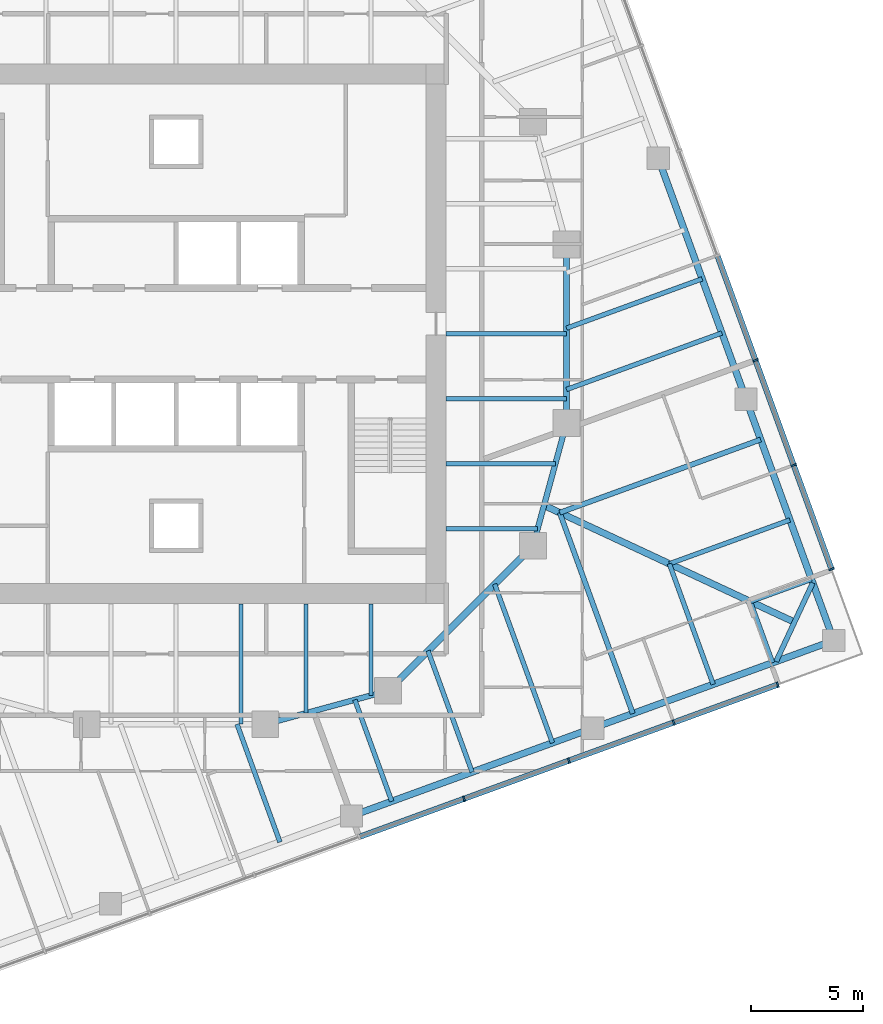
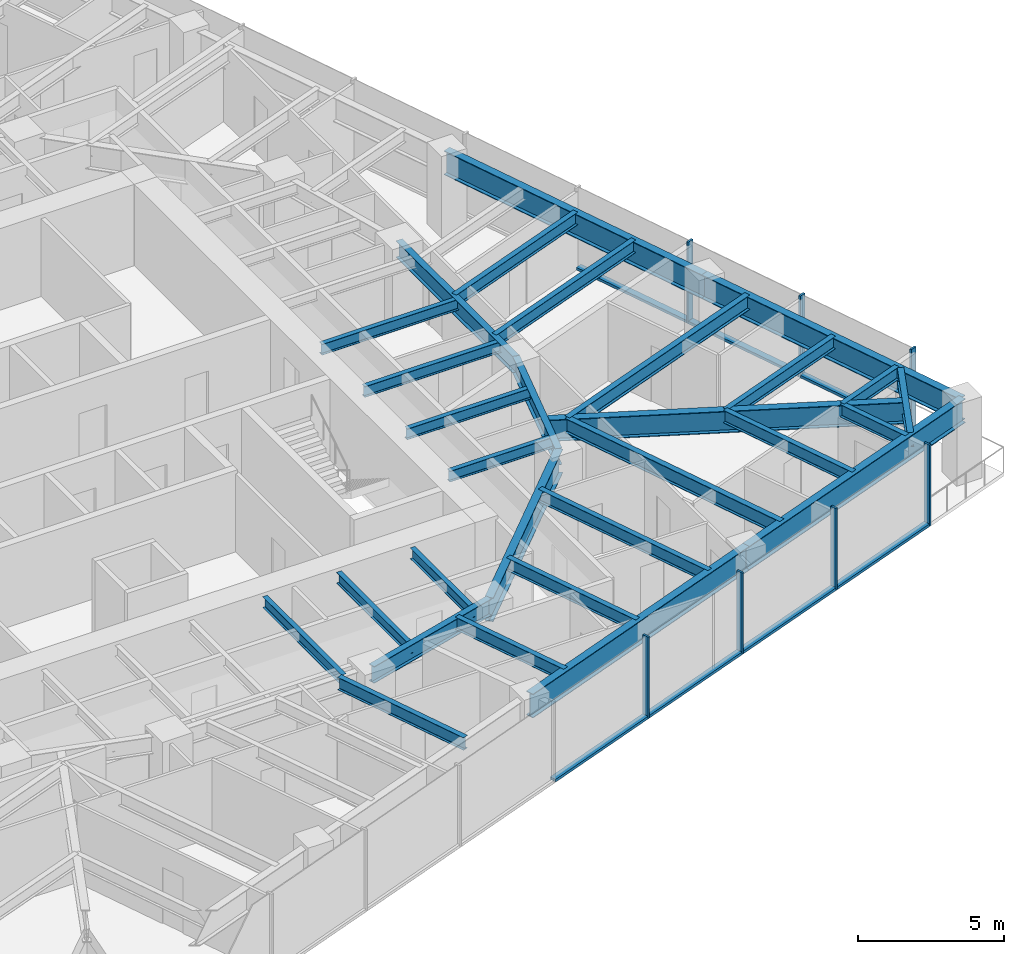
# One storey, part 3 of 13: 29 beams, 14 members, 2 elements without a shape of their own.
"""IFC4 building model written with IfcOpenShell, lengths in metres."""

from ifc_helpers import new_model, si_unit, direction, frame, origin, origin_2d, place, context, subcontext, project, spatial, rectangle, i_section, extrude, material, material_profile, profile_set, type_object, element, aggregate, save


model = new_model("IFC4")

# Units and contexts
model_context = context("Model", 3, precision=1e-05, world=origin(), true_north=direction((0.0, 1.0)))
body_context = subcontext(model_context, "Body", "Model", "MODEL_VIEW")
ifc_project = project(units=[si_unit("LENGTHUNIT", "METRE"), si_unit("AREAUNIT", "SQUARE_METRE"), si_unit("VOLUMEUNIT", "CUBIC_METRE"), si_unit("PLANEANGLEUNIT", "RADIAN"), si_unit("MASSUNIT", "GRAM", prefix="KILO")], contexts=[model_context])

# Site, building, storey
site_placement = place(None, origin())
site = spatial("IfcSite", under=ifc_project, at=site_placement, CompositionType="ELEMENT")
building_placement = place(site_placement, origin())
building = spatial("IfcBuilding", under=site, at=building_placement, Name="Torsade Residences", CompositionType="ELEMENT")
storey_placement = place(building_placement, frame((0.0, 0.0, 164.199951171875)))
storey = spatial("IfcBuildingStorey", under=building, at=storey_placement, Name="L45", CompositionType="ELEMENT", Elevation=164.199951171875)

# Beams
ifc_material_1 = material(Name="Steel grade 300", Category="steel")
ifc_material_profile_1 = material_profile(ifc_material_1, i_section(OverallWidth=0.300048828125, OverallDepth=0.89990234375, WebThickness=0.011962890625, FlangeThickness=0.02490234375, at=origin_2d()), Name="900WB175")
ifc_profile_set_1 = profile_set([ifc_material_profile_1], Name="Steel grade 300")
beam_type_1 = type_object("IfcBeamType", Name="CORNER GIRDER 900WB175", PredefinedType="BEAM", material=ifc_profile_set_1)
beam_1_placement = place(storey_placement, frame((67.717041015625, 17.075439453125, 2.800048828125), z_axis=(-0.906308509373, 0.422616712682, 0.0), x_axis=(-0.422616712682, -0.906308509373, 0.0)))
element("IfcBeam", 1, at=beam_1_placement, inside=storey, type_object=beam_type_1, Name="Corner girder 05 L46", PredefinedType="BEAM", context=body_context, shape_type="SweptSolid", body=[
    extrude(i_section(OverallWidth=0.300048828125, OverallDepth=0.89990234375, WebThickness=0.011962890625, FlangeThickness=0.02490234375, at=origin_2d()), origin(), (0.0, 0.0, 1.0), 12.3837890625),
])
ifc_material_2 = material(Name="Steel grade 300", Category="steel")
ifc_material_profile_2 = material_profile(ifc_material_2, i_section(OverallWidth=0.22802734375, OverallDepth=0.60205078125, WebThickness=0.010498046875, FlangeThickness=0.014892578125, FilletRadius=0.013916015625, at=origin_2d()), Name="610UB101")
ifc_profile_set_2 = profile_set([ifc_material_profile_2], Name="Steel grade 300")
beam_type_2 = type_object("IfcBeamType", Name="CORNER TRIMMER 610UB101", PredefinedType="BEAM", material=ifc_profile_set_2)
beam_2_placement = place(storey_placement, frame((68.538818359375, 18.837646484375, 2.948974609375), z_axis=(-0.422613947806, -0.906309798645, 0.0), x_axis=(0.906309798645, -0.422613947806, 0.0)))
element("IfcBeam", 2, at=beam_2_placement, inside=storey, type_object=beam_type_2, Name="Corner trimmer 05 L46", PredefinedType="BEAM", context=body_context, shape_type="SweptSolid", body=[
    extrude(i_section(OverallWidth=0.22802734375, OverallDepth=0.60205078125, WebThickness=0.010498046875, FlangeThickness=0.014892578125, FilletRadius=0.013916015625, at=origin_2d()), origin(), (0.0, 0.0, 1.0), 3.888916015625),
])
ifc_material_3 = material(Name="Steel grade 300", Category="steel")
ifc_material_profile_3 = material_profile(ifc_material_3, i_section(OverallWidth=0.300048828125, OverallDepth=1.0, WebThickness=0.01611328125, FlangeThickness=0.028076171875, at=origin_2d()), Name="1000WB215")
ifc_profile_set_3 = profile_set([ifc_material_profile_3], Name="Steel grade 300")
beam_type_3 = type_object("IfcBeamType", Name="EDGE BEAM 1000WB215", PredefinedType="SPANDREL", material=ifc_profile_set_3)
for number, where, z_axis, x_axis, name in (
    (3, (47.866455078125, 8.386962890625, 2.75), (0.939688625666, 0.342031119628, 0.0), (-0.342031119628, 0.939688625666, 0.0), "Edge beam 03 L46"),
    (4, (58.6728515625, 12.3203125, 2.75), (0.939697932031, 0.342005550448, 0.0), (-0.342005550448, 0.939697932031, 0.0), "Edge beam 04 L46"),
):
    element("IfcBeam", number, at=place(storey_placement, frame(where, z_axis=z_axis, x_axis=x_axis)), inside=storey, type_object=beam_type_3, Name=name, PredefinedType="SPANDREL", context=body_context, shape_type="SweptSolid", body=[
        extrude(i_section(OverallWidth=0.300048828125, OverallDepth=1.0, WebThickness=0.01611328125, FlangeThickness=0.028076171875, at=origin_2d()), origin(), (0.0, 0.0, 1.0), 11.5),
    ])
beam_3_placement = place(storey_placement, frame((69.4794921875, 16.25341796875, 2.75), z_axis=(-0.342024296483, 0.93969110915, 0.0), x_axis=(-0.93969110915, -0.342024296483, 0.0)))
element("IfcBeam", 5, at=beam_3_placement, inside=storey, type_object=beam_type_3, Name="Edge beam 05 L46", PredefinedType="SPANDREL", context=body_context, shape_type="SweptSolid", body=[
    extrude(i_section(OverallWidth=0.300048828125, OverallDepth=1.0, WebThickness=0.01611328125, FlangeThickness=0.028076171875, at=origin_2d()), origin(), (0.0, 0.0, 1.0), 11.500244140625),
])
beam_4_placement = place(storey_placement, frame((65.546142578125, 27.06005859375, 2.75), z_axis=(-0.342012373318, 0.939695448801, 0.0), x_axis=(-0.939695448801, -0.342012373318, 0.0)))
element("IfcBeam", 6, at=beam_4_placement, inside=storey, type_object=beam_type_3, Name="Edge beam 06 L46", PredefinedType="SPANDREL", context=body_context, shape_type="SweptSolid", body=[
    extrude(i_section(OverallWidth=0.300048828125, OverallDepth=1.0, WebThickness=0.01611328125, FlangeThickness=0.028076171875, at=origin_2d()), origin(), (0.0, 0.0, 1.0), 11.5),
])
ifc_material_4 = material(Name="Steel grade 300", Category="steel")
ifc_material_profile_4 = material_profile(ifc_material_4, i_section(OverallWidth=0.18994140625, OverallDepth=0.4541015625, WebThickness=0.008544921875, FlangeThickness=0.0126953125, FilletRadius=0.011474609375, at=origin_2d()), Name="460UB67.1")
ifc_profile_set_4 = profile_set([ifc_material_profile_4], Name="Steel grade 300")
beam_type_4 = type_object("IfcBeamType", Name="INNER FLOOR BEAM 460UB67.1", PredefinedType="JOIST", material=ifc_profile_set_4)
beam_5_placement = place(storey_placement, frame((48.737548828125, 17.89990234375, 3.02294921875), z_axis=(0.0, -1.0, 0.0), x_axis=(1.0, 0.0, 0.0)))
element("IfcBeam", 7, at=beam_5_placement, inside=storey, type_object=beam_type_4, Name="Inner floor beam IS01 L46", PredefinedType="JOIST", context=body_context, shape_type="SweptSolid", body=[
    extrude(i_section(OverallWidth=0.18994140625, OverallDepth=0.4541015625, WebThickness=0.008544921875, FlangeThickness=0.0126953125, FilletRadius=0.011474609375, at=origin_2d()), origin(), (0.0, 0.0, 1.0), 4.10791015625),
])
beam_6_placement = place(storey_placement, frame((45.824951171875, 17.89990234375, 3.02294921875), z_axis=(0.0, -1.0, 0.0), x_axis=(1.0, 0.0, 0.0)))
element("IfcBeam", 8, at=beam_6_placement, inside=storey, type_object=beam_type_4, Name="Inner floor beam IS02 L46", PredefinedType="JOIST", context=body_context, shape_type="SweptSolid", body=[
    extrude(i_section(OverallWidth=0.18994140625, OverallDepth=0.4541015625, WebThickness=0.008544921875, FlangeThickness=0.0126953125, FilletRadius=0.011474609375, at=origin_2d()), origin(), (0.0, 0.0, 1.0), 4.902099609375),
])
beam_7_placement = place(storey_placement, frame((42.91259765625, 17.89990234375, 3.02294921875), z_axis=(0.0, -1.0, 0.0), x_axis=(1.0, 0.0, 0.0)))
element("IfcBeam", 9, at=beam_7_placement, inside=storey, type_object=beam_type_4, Name="Inner floor beam IS03 L46", PredefinedType="JOIST", context=body_context, shape_type="SweptSolid", body=[
    extrude(i_section(OverallWidth=0.18994140625, OverallDepth=0.4541015625, WebThickness=0.008544921875, FlangeThickness=0.0126953125, FilletRadius=0.011474609375, at=origin_2d()), origin(), (0.0, 0.0, 1.0), 5.39990234375),
])
beam_8_placement = place(storey_placement, frame((52.10009765625, 21.262451171875, 3.02294921875), z_axis=(1.0, 0.0, 0.0), x_axis=(0.0, 1.0, 0.0)))
element("IfcBeam", 10, at=beam_8_placement, inside=storey, type_object=beam_type_4, Name="Inner floor beam IE01 L46", PredefinedType="JOIST", context=body_context, shape_type="SweptSolid", body=[
    extrude(i_section(OverallWidth=0.18994140625, OverallDepth=0.4541015625, WebThickness=0.008544921875, FlangeThickness=0.0126953125, FilletRadius=0.011474609375, at=origin_2d()), origin(), (0.0, 0.0, 1.0), 4.10791015625),
])
beam_9_placement = place(storey_placement, frame((52.10009765625, 24.175048828125, 3.02294921875), z_axis=(1.0, 0.0, 0.0), x_axis=(0.0, 1.0, 0.0)))
element("IfcBeam", 11, at=beam_9_placement, inside=storey, type_object=beam_type_4, Name="Inner floor beam IE02 L46", PredefinedType="JOIST", context=body_context, shape_type="SweptSolid", body=[
    extrude(i_section(OverallWidth=0.18994140625, OverallDepth=0.4541015625, WebThickness=0.008544921875, FlangeThickness=0.0126953125, FilletRadius=0.011474609375, at=origin_2d()), origin(), (0.0, 0.0, 1.0), 4.902099609375),
])
for number, where, z_axis, x_axis, name in (
    (12, (52.10009765625, 27.08740234375, 3.02294921875), (1.0, 0.0, 0.0), (0.0, 1.0, 0.0), "Inner floor beam IE03 L46"),
    (13, (52.10009765625, 30.0, 3.02294921875), (1.0, 0.0, 0.0), (0.0, 1.0, 0.0), "Inner floor beam IE04 L46"),
):
    element("IfcBeam", number, at=place(storey_placement, frame(where, z_axis=z_axis, x_axis=x_axis)), inside=storey, type_object=beam_type_4, Name=name, PredefinedType="JOIST", context=body_context, shape_type="SweptSolid", body=[
        extrude(i_section(OverallWidth=0.18994140625, OverallDepth=0.4541015625, WebThickness=0.008544921875, FlangeThickness=0.0126953125, FilletRadius=0.011474609375, at=origin_2d()), origin(), (0.0, 0.0, 1.0), 5.39990234375),
    ])

# Curtain wall, members
ifc_material_5 = material(Name="Aluminium and glass", Category="aluminium")
curtain_wall_type = type_object("IfcCurtainWallType", Name="FRITTED GLASS CURTAIN WALL MID ZONE", PredefinedType="NOTDEFINED", material=ifc_material_5)
curtain_wall_1_placement = place(storey_placement, origin())
curtain_wall_1 = element("IfcCurtainWall", 14, at=curtain_wall_1_placement, inside=storey, type_object=curtain_wall_type, Name="Curtain wall L45 face 1", PredefinedType="NOTDEFINED")
ifc_material_6 = material(Name="Aluminium mullion", Category="aluminium")
ifc_material_profile_5 = material_profile(ifc_material_6, rectangle(XDim=0.25, YDim=0.080078125, at=origin_2d()), Name="MID ZONE CURTAIN WALL MULLION 250x80")
ifc_profile_set_5 = profile_set([ifc_material_profile_5], Name="Aluminium mullion")
member_type_1 = type_object("IfcMemberType", Name="MID ZONE CURTAIN WALL MULLION 250x80", PredefinedType="MULLION", material=ifc_profile_set_5)
member_1_placement = place(storey_placement, frame((52.906982421875, 9.157470703125, 0.0), z_axis=(0.0, 0.0, 1.0), x_axis=(-0.342020147869, 0.939692619132, 0.0)))
member_1 = element("IfcMember", 15, at=member_1_placement, type_object=member_type_1, Name="Mullion 6", PredefinedType="MULLION", context=body_context, shape_type="SweptSolid", body=[
    extrude(rectangle(XDim=0.25, YDim=0.080078125, at=origin_2d()), origin(), (0.0, 0.0, 1.0), 3.400146484375),
])
member_2_placement = place(storey_placement, frame((57.60546875, 10.86767578125, 0.0), z_axis=(0.0, 0.0, 1.0), x_axis=(-0.342020147869, 0.939692619132, 0.0)))
member_2 = element("IfcMember", 16, at=member_2_placement, type_object=member_type_1, Name="Mullion 7", PredefinedType="MULLION", context=body_context, shape_type="SweptSolid", body=[
    extrude(rectangle(XDim=0.25, YDim=0.080078125, at=origin_2d()), origin(), (0.0, 0.0, 1.0), 3.400146484375),
])
member_3_placement = place(storey_placement, frame((62.303955078125, 12.57763671875, 0.0), z_axis=(0.0, 0.0, 1.0), x_axis=(-0.342020147869, 0.939692619132, 0.0)))
member_3 = element("IfcMember", 17, at=member_3_placement, type_object=member_type_1, Name="Mullion 8", PredefinedType="MULLION", context=body_context, shape_type="SweptSolid", body=[
    extrude(rectangle(XDim=0.25, YDim=0.080078125, at=origin_2d()), origin(), (0.0, 0.0, 1.0), 3.400146484375),
])
member_4_placement = place(storey_placement, frame((66.96484375, 14.274169921875, 0.0), z_axis=(0.0, 0.0, 1.0), x_axis=(-0.342020147869, 0.939692619132, 0.0)))
member_4 = element("IfcMember", 18, at=member_4_placement, type_object=member_type_1, Name="Mullion 9", PredefinedType="MULLION", context=body_context, shape_type="SweptSolid", body=[
    extrude(rectangle(XDim=0.25, YDim=0.080078125, at=origin_2d()), origin(), (0.0, 0.0, 1.0), 3.400146484375),
])

curtain_wall_2_placement = place(storey_placement, origin())
curtain_wall_2 = element("IfcCurtainWall", 19, at=curtain_wall_2_placement, inside=storey, type_object=curtain_wall_type, Name="Curtain wall L45 face 4", PredefinedType="NOTDEFINED")
member_5_placement = place(storey_placement, frame((69.37939453125, 19.4521484375, 0.0), z_axis=(0.0, 0.0, 1.0), x_axis=(-0.939692619132, -0.342020147869, 0.0)))
member_5 = element("IfcMember", 20, at=member_5_placement, type_object=member_type_1, Name="Mullion 1", PredefinedType="MULLION", context=body_context, shape_type="SweptSolid", body=[
    extrude(rectangle(XDim=0.25, YDim=0.080078125, at=origin_2d()), origin(), (0.0, 0.0, 1.0), 3.400146484375),
])
member_6_placement = place(storey_placement, frame((67.682861328125, 24.113037109375, 0.0), z_axis=(0.0, 0.0, 1.0), x_axis=(-0.939692619132, -0.342020147869, 0.0)))
member_6 = element("IfcMember", 21, at=member_6_placement, type_object=member_type_1, Name="Mullion 2", PredefinedType="MULLION", context=body_context, shape_type="SweptSolid", body=[
    extrude(rectangle(XDim=0.25, YDim=0.080078125, at=origin_2d()), origin(), (0.0, 0.0, 1.0), 3.400146484375),
])
member_7_placement = place(storey_placement, frame((65.972900390625, 28.8115234375, 0.0), z_axis=(0.0, 0.0, 1.0), x_axis=(-0.939692619132, -0.342020147869, 0.0)))
member_7 = element("IfcMember", 22, at=member_7_placement, type_object=member_type_1, Name="Mullion 3", PredefinedType="MULLION", context=body_context, shape_type="SweptSolid", body=[
    extrude(rectangle(XDim=0.25, YDim=0.080078125, at=origin_2d()), origin(), (0.0, 0.0, 1.0), 3.400146484375),
])

# Member
ifc_material_7 = material(Name="Aluminium transom", Category="aluminium")
ifc_material_profile_6 = material_profile(ifc_material_7, rectangle(XDim=0.25, YDim=0.110107421875, at=origin_2d()), Name="MID ZONE CURTAIN WALL TRANSOM 250x110")
ifc_profile_set_6 = profile_set([ifc_material_profile_6], Name="Aluminium transom")
member_type_2 = type_object("IfcMemberType", Name="MID ZONE CURTAIN WALL TRANSOM 250x110", PredefinedType="USERDEFINED", material=ifc_profile_set_6)
member_8_placement = place(storey_placement, frame((48.24609375, 7.4609375, 0.054931640625), z_axis=(0.93968471549, 0.342041862168, 0.0), x_axis=(-0.342041862168, 0.93968471549, 0.0)))
member_8 = element("IfcMember", 23, at=member_8_placement, type_object=member_type_2, Name="Transom 5.1", ObjectType="TRANSOM", PredefinedType="USERDEFINED", context=body_context, shape_type="SweptSolid", body=[
    extrude(rectangle(XDim=0.25, YDim=0.110107421875, at=origin_2d()), origin(), (0.0, 0.0, 1.0), 4.920166015625),
])

member_9_placement = place(storey_placement, frame((52.944580078125, 9.171142578125, 0.054931640625), z_axis=(0.93968471549, 0.342041862168, 0.0), x_axis=(-0.342041862168, 0.93968471549, 0.0)))
member_9 = element("IfcMember", 24, at=member_9_placement, type_object=member_type_2, Name="Transom 6.1", ObjectType="TRANSOM", PredefinedType="USERDEFINED", context=body_context, shape_type="SweptSolid", body=[
    extrude(rectangle(XDim=0.25, YDim=0.110107421875, at=origin_2d()), origin(), (0.0, 0.0, 1.0), 4.920166015625),
])

member_10_placement = place(storey_placement, frame((57.64306640625, 10.88134765625, 0.054931640625), z_axis=(0.9397006637, 0.341998044792, 0.0), x_axis=(-0.341998044792, 0.9397006637, 0.0)))
member_10 = element("IfcMember", 25, at=member_10_placement, type_object=member_type_2, Name="Transom 7.1", ObjectType="TRANSOM", PredefinedType="USERDEFINED", context=body_context, shape_type="SweptSolid", body=[
    extrude(rectangle(XDim=0.25, YDim=0.110107421875, at=origin_2d()), origin(), (0.0, 0.0, 1.0), 4.919921875),
])

member_11_placement = place(storey_placement, frame((62.341552734375, 12.59130859375, 0.054931640625), z_axis=(0.939683823915, 0.342044311564, 0.0), x_axis=(-0.342044311564, 0.939683823915, 0.0)))
member_11 = element("IfcMember", 26, at=member_11_placement, type_object=member_type_2, Name="Transom 8.1", ObjectType="TRANSOM", PredefinedType="USERDEFINED", context=body_context, shape_type="SweptSolid", body=[
    extrude(rectangle(XDim=0.25, YDim=0.110107421875, at=origin_2d()), origin(), (0.0, 0.0, 1.0), 4.880126953125),
])

aggregate(curtain_wall_1, [member_1, member_2, member_3, member_4, member_8, member_9, member_10, member_11])

member_12_placement = place(storey_placement, frame((69.36572265625, 19.48974609375, 0.054931640625), z_axis=(-0.342044311564, 0.939683823915, 0.0), x_axis=(-0.939683823915, -0.342044311564, 0.0)))
member_12 = element("IfcMember", 27, at=member_12_placement, type_object=member_type_2, Name="Transom 1.1", ObjectType="TRANSOM", PredefinedType="USERDEFINED", context=body_context, shape_type="SweptSolid", body=[
    extrude(rectangle(XDim=0.25, YDim=0.110107421875, at=origin_2d()), origin(), (0.0, 0.0, 1.0), 4.880126953125),
])

member_13_placement = place(storey_placement, frame((67.669189453125, 24.150634765625, 0.054931640625), z_axis=(-0.341998044792, 0.9397006637, 0.0), x_axis=(-0.9397006637, -0.341998044792, 0.0)))
member_13 = element("IfcMember", 28, at=member_13_placement, type_object=member_type_2, Name="Transom 2.1", ObjectType="TRANSOM", PredefinedType="USERDEFINED", context=body_context, shape_type="SweptSolid", body=[
    extrude(rectangle(XDim=0.25, YDim=0.110107421875, at=origin_2d()), origin(), (0.0, 0.0, 1.0), 4.919921875),
])

member_14_placement = place(storey_placement, frame((65.959228515625, 28.84912109375, 0.054931640625), z_axis=(-0.342041862168, 0.93968471549, 0.0), x_axis=(-0.93968471549, -0.342041862168, 0.0)))
member_14 = element("IfcMember", 29, at=member_14_placement, type_object=member_type_2, Name="Transom 3.1", ObjectType="TRANSOM", PredefinedType="USERDEFINED", context=body_context, shape_type="SweptSolid", body=[
    extrude(rectangle(XDim=0.25, YDim=0.110107421875, at=origin_2d()), origin(), (0.0, 0.0, 1.0), 4.920166015625),
])

aggregate(curtain_wall_2, [member_5, member_6, member_7, member_12, member_13, member_14])

# Beams
ifc_material_8 = material(Name="Steel grade 300", Category="steel")
ifc_material_profile_7 = material_profile(ifc_material_8, i_section(OverallWidth=0.300048828125, OverallDepth=1.0, WebThickness=0.01611328125, FlangeThickness=0.028076171875, at=origin_2d()), Name="1000WB215")
ifc_profile_set_7 = profile_set([ifc_material_profile_7], Name="Steel grade 300")
beam_type_5 = type_object("IfcBeamType", Name="RING CORNER GIRDER 1000WB215", PredefinedType="BEAM", material=ifc_profile_set_7)
beam_10_placement = place(storey_placement, frame((49.5, 14.0, 2.75), z_axis=(0.707106781187, 0.707106781187, 0.0), x_axis=(-0.707106781187, 0.707106781187, 0.0)))
element("IfcBeam", 30, at=beam_10_placement, inside=storey, type_object=beam_type_5, Name="Ring girder IR15 L46", PredefinedType="BEAM", context=body_context, shape_type="SweptSolid", body=[
    extrude(i_section(OverallWidth=0.300048828125, OverallDepth=1.0, WebThickness=0.01611328125, FlangeThickness=0.028076171875, at=origin_2d()), origin(), (0.0, 0.0, 1.0), 9.1923828125),
])
ifc_material_9 = material(Name="Steel grade 300", Category="steel")
ifc_material_profile_8 = material_profile(ifc_material_9, i_section(OverallWidth=0.25, OverallDepth=0.699951171875, WebThickness=0.010009765625, FlangeThickness=0.02001953125, at=origin_2d()), Name="700WB130")
ifc_profile_set_8 = profile_set([ifc_material_profile_8], Name="Steel grade 300")
beam_type_6 = type_object("IfcBeamType", Name="RING GIRDER 700WB130", PredefinedType="BEAM", material=ifc_profile_set_8)
beam_11_placement = place(storey_placement, frame((57.5, 26.0, 2.900146484375), z_axis=(0.0, 1.0, 0.0), x_axis=(-1.0, 0.0, 0.0)))
element("IfcBeam", 31, at=beam_11_placement, inside=storey, type_object=beam_type_6, Name="Ring girder IR01 L46", PredefinedType="BEAM", context=body_context, shape_type="SweptSolid", body=[
    extrude(i_section(OverallWidth=0.25, OverallDepth=0.699951171875, WebThickness=0.010009765625, FlangeThickness=0.02001953125, at=origin_2d()), origin(), (0.0, 0.0, 1.0), 8.0),
])
for number, where, z_axis, x_axis, name in (
    (32, (44.0, 12.5, 2.900146484375), (0.964763821238, 0.263117405792, 0.0), (-0.263117405792, 0.964763821238, 0.0), "Ring girder IR14 L46"),
    (33, (56.0, 20.5, 2.900146484375), (0.263117405792, 0.964763821238, 0.0), (-0.964763821238, 0.263117405792, 0.0), "Ring girder IR16 L46"),
):
    element("IfcBeam", number, at=place(storey_placement, frame(where, z_axis=z_axis, x_axis=x_axis)), inside=storey, type_object=beam_type_6, Name=name, PredefinedType="BEAM", context=body_context, shape_type="SweptSolid", body=[
        extrude(i_section(OverallWidth=0.25, OverallDepth=0.699951171875, WebThickness=0.010009765625, FlangeThickness=0.02001953125, at=origin_2d()), origin(), (0.0, 0.0, 1.0), 5.700927734375),
    ])
ifc_material_10 = material(Name="Steel grade 300", Category="steel")
ifc_material_profile_9 = material_profile(ifc_material_10, i_section(OverallWidth=0.208984375, OverallDepth=0.528076171875, WebThickness=0.009521484375, FlangeThickness=0.01318359375, FilletRadius=0.013916015625, at=origin_2d()), Name="530UB82.0")
ifc_profile_set_9 = profile_set([ifc_material_profile_9], Name="Steel grade 300")
beam_type_7 = type_object("IfcBeamType", Name="SECONDARY BEAM 530UB82.0", PredefinedType="JOIST", material=ifc_profile_set_9)
beam_12_placement = place(storey_placement, frame((44.65576171875, 7.218505859375, 2.986083984375), z_axis=(-0.341990681925, 0.939703343336, 0.0), x_axis=(-0.939703343336, -0.341990681925, 0.0)))
element("IfcBeam", 34, at=beam_12_placement, inside=storey, type_object=beam_type_7, Name="Floor beam FS06 L46", PredefinedType="JOIST", context=body_context, shape_type="SweptSolid", body=[
    extrude(i_section(OverallWidth=0.208984375, OverallDepth=0.528076171875, WebThickness=0.009521484375, FlangeThickness=0.01318359375, FilletRadius=0.013916015625, at=origin_2d()), origin(), (0.0, 0.0, 1.0), 5.620361328125),
])
beam_13_placement = place(storey_placement, frame((49.66748046875, 9.042724609375, 2.986083984375), z_axis=(-0.342014218604, 0.939694777187, 0.0), x_axis=(-0.939694777187, -0.342014218604, 0.0)))
element("IfcBeam", 35, at=beam_13_placement, inside=storey, type_object=beam_type_7, Name="Floor beam FS07 L46", PredefinedType="JOIST", context=body_context, shape_type="SweptSolid", body=[
    extrude(i_section(OverallWidth=0.208984375, OverallDepth=0.528076171875, WebThickness=0.009521484375, FlangeThickness=0.01318359375, FilletRadius=0.013916015625, at=origin_2d()), origin(), (0.0, 0.0, 1.0), 4.84326171875),
])
beam_14_placement = place(storey_placement, frame((53.269775390625, 10.353759765625, 2.986083984375), z_axis=(-0.342034409239, 0.939687428295, 0.0), x_axis=(-0.939687428295, -0.342034409239, 0.0)))
element("IfcBeam", 36, at=beam_14_placement, inside=storey, type_object=beam_type_7, Name="Floor beam FS08 L46", PredefinedType="JOIST", context=body_context, shape_type="SweptSolid", body=[
    extrude(i_section(OverallWidth=0.208984375, OverallDepth=0.528076171875, WebThickness=0.009521484375, FlangeThickness=0.01318359375, FilletRadius=0.013916015625, at=origin_2d()), origin(), (0.0, 0.0, 1.0), 5.785888671875),
])
beam_15_placement = place(storey_placement, frame((56.871826171875, 11.664794921875, 2.986083984375), z_axis=(-0.342027762686, 0.939689847531, 0.0), x_axis=(-0.939689847531, -0.342027762686, 0.0)))
element("IfcBeam", 37, at=beam_15_placement, inside=storey, type_object=beam_type_7, Name="Floor beam FS09 L46", PredefinedType="JOIST", context=body_context, shape_type="SweptSolid", body=[
    extrude(i_section(OverallWidth=0.208984375, OverallDepth=0.528076171875, WebThickness=0.009521484375, FlangeThickness=0.01318359375, FilletRadius=0.013916015625, at=origin_2d()), origin(), (0.0, 0.0, 1.0), 7.573486328125),
])
beam_16_placement = place(storey_placement, frame((64.076171875, 14.286865234375, 2.986083984375), z_axis=(-0.342005550448, 0.939697932031, 0.0), x_axis=(-0.939697932031, -0.342005550448, 0.0)))
element("IfcBeam", 38, at=beam_16_placement, inside=storey, type_object=beam_type_7, Name="Floor beam FS11 L46", PredefinedType="JOIST", context=body_context, shape_type="SweptSolid", body=[
    extrude(i_section(OverallWidth=0.208984375, OverallDepth=0.528076171875, WebThickness=0.009521484375, FlangeThickness=0.01318359375, FilletRadius=0.013916015625, at=origin_2d()), origin(), (0.0, 0.0, 1.0), 5.75),
])
for number, where, z_axis, x_axis, name in (
    (39, (66.738525390625, 15.255859375, 2.986083984375), (-0.341998427281, 0.939700524495, 0.0), (-0.939700524495, -0.341998427281, 0.0), "Floor beam FS12 L46"),
    (40, (68.48193359375, 18.994384765625, 2.986083984375), (-0.939700524495, -0.341998427281, 0.0), (0.341998427281, -0.939700524495, 0.0), "Floor beam FE01 L46"),
):
    element("IfcBeam", number, at=place(storey_placement, frame(where, z_axis=z_axis, x_axis=x_axis)), inside=storey, type_object=beam_type_7, Name=name, PredefinedType="JOIST", context=body_context, shape_type="SweptSolid", body=[
        extrude(i_section(OverallWidth=0.208984375, OverallDepth=0.528076171875, WebThickness=0.009521484375, FlangeThickness=0.01318359375, FilletRadius=0.013916015625, at=origin_2d()), origin(), (0.0, 0.0, 1.0), 2.916748046875),
    ])
beam_17_placement = place(storey_placement, frame((67.5126953125, 21.65673828125, 2.986083984375), z_axis=(-0.939692965423, -0.342019196443, 0.0), x_axis=(0.342019196443, -0.939692965423, 0.0)))
element("IfcBeam", 41, at=beam_17_placement, inside=storey, type_object=beam_type_7, Name="Floor beam FE02 L46", PredefinedType="JOIST", context=body_context, shape_type="SweptSolid", body=[
    extrude(i_section(OverallWidth=0.208984375, OverallDepth=0.528076171875, WebThickness=0.009521484375, FlangeThickness=0.01318359375, FilletRadius=0.013916015625, at=origin_2d()), origin(), (0.0, 0.0, 1.0), 5.749755859375),
])
beam_18_placement = place(storey_placement, frame((64.463134765625, 30.03564453125, 2.986083984375), z_axis=(-0.939690450554, -0.342026105929, 0.0), x_axis=(0.342026105929, -0.939690450554, 0.0)))
element("IfcBeam", 42, at=beam_18_placement, inside=storey, type_object=beam_type_7, Name="Floor beam FE04 L46", PredefinedType="JOIST", context=body_context, shape_type="SweptSolid", body=[
    extrude(i_section(OverallWidth=0.208984375, OverallDepth=0.528076171875, WebThickness=0.009521484375, FlangeThickness=0.01318359375, FilletRadius=0.013916015625, at=origin_2d()), origin(), (0.0, 0.0, 1.0), 7.409912109375),
])
beam_19_placement = place(storey_placement, frame((63.57958984375, 32.463134765625, 2.986083984375), z_axis=(-0.939699737026, -0.342000590983, 0.0), x_axis=(0.342000590983, -0.939699737026, 0.0)))
element("IfcBeam", 43, at=beam_19_placement, inside=storey, type_object=beam_type_7, Name="Floor beam FE05 L46", PredefinedType="JOIST", context=body_context, shape_type="SweptSolid", body=[
    extrude(i_section(OverallWidth=0.208984375, OverallDepth=0.528076171875, WebThickness=0.009521484375, FlangeThickness=0.01318359375, FilletRadius=0.013916015625, at=origin_2d()), origin(), (0.0, 0.0, 1.0), 6.4697265625),
])
ifc_material_11 = material(Name="Steel grade 300", Category="steel")
ifc_material_profile_10 = material_profile(ifc_material_11, i_section(OverallWidth=0.22900390625, OverallDepth=0.612060546875, WebThickness=0.011962890625, FlangeThickness=0.01953125, FilletRadius=0.013916015625, at=origin_2d()), Name="610UB125")
ifc_profile_set_10 = profile_set([ifc_material_profile_10], Name="Steel grade 300")
beam_type_8 = type_object("IfcBeamType", Name="SECONDARY BEAM 610UB125", PredefinedType="JOIST", material=ifc_profile_set_10)
for number, where, z_axis, x_axis, name in (
    (44, (60.47412109375, 12.975830078125, 2.944091796875), (-0.342033504181, 0.939687757725, 0.0), (-0.939687757725, -0.342033504181, 0.0), "Floor beam FS10 L46"),
    (45, (66.20166015625, 25.259033203125, 2.944091796875), (-0.939687757725, -0.342033504181, 0.0), (0.342033504181, -0.939687757725, 0.0), "Floor beam FE03 L46"),
):
    element("IfcBeam", number, at=place(storey_placement, frame(where, z_axis=z_axis, x_axis=x_axis)), inside=storey, type_object=beam_type_8, Name=name, PredefinedType="JOIST", context=body_context, shape_type="SweptSolid", body=[
        extrude(i_section(OverallWidth=0.22900390625, OverallDepth=0.612060546875, WebThickness=0.011962890625, FlangeThickness=0.01953125, FilletRadius=0.013916015625, at=origin_2d()), origin(), (0.0, 0.0, 1.0), 9.583251953125),
    ])

save(model, "model.ifc")
